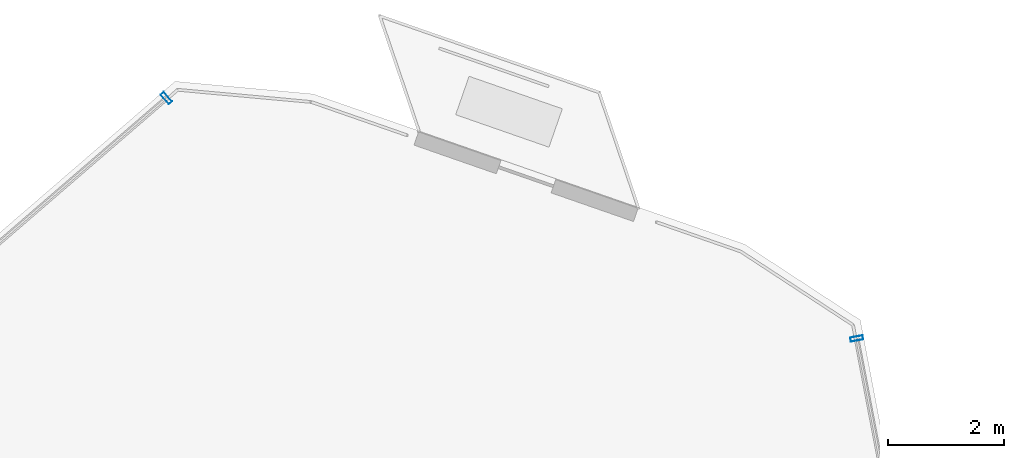
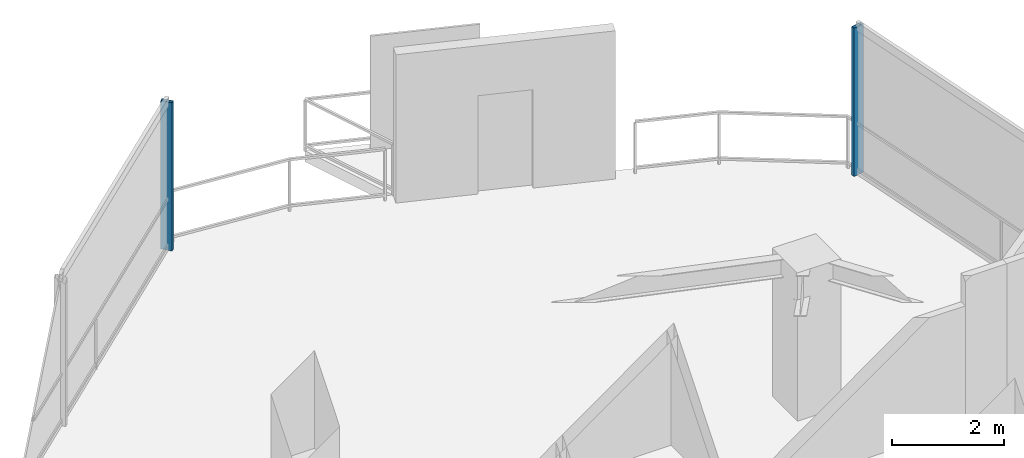
# One storey, part 13 of 18: 2 members, 2 elements without a shape of their own.
"""IFC4 building model written with IfcOpenShell, lengths in metres."""

from ifc_helpers import new_model, si_unit, direction, frame, origin, origin_2d, place, context, subcontext, project, spatial, hollow_rectangle, extrude, material, layer, layer_set, material_profile, profile_set, type_object, element, aggregate, save


model = new_model("IFC4")

# Units and contexts
model_context = context("Model", 3, precision=1e-05, world=origin(), true_north=direction((0.0, 1.0)))
body_context = subcontext(model_context, "Body", "Model", "MODEL_VIEW")
ifc_project = project(units=[si_unit("LENGTHUNIT", "METRE"), si_unit("AREAUNIT", "SQUARE_METRE"), si_unit("VOLUMEUNIT", "CUBIC_METRE"), si_unit("PLANEANGLEUNIT", "RADIAN"), si_unit("MASSUNIT", "GRAM", prefix="KILO")], contexts=[model_context])

# Site, building, storey
site_placement = place(None, origin())
site = spatial("IfcSite", under=ifc_project, at=site_placement, CompositionType="ELEMENT")
building_placement = place(site_placement, origin())
building = spatial("IfcBuilding", under=site, at=building_placement, Name="Qarnah Convention Tower", CompositionType="ELEMENT")
storey_placement = place(building_placement, frame((0.0, 0.0, 220.199951171875)))
storey = spatial("IfcBuildingStorey", under=building, at=storey_placement, Name="L59", CompositionType="ELEMENT", Elevation=220.199951171875)

# Curtain wall, member
ifc_material_1 = material(Name="Tempered Low-E dark glass", Category="glass")
ifc_layer = layer(ifc_material_1, 0.174072265625)
ifc_layer_set = layer_set([ifc_layer], Name="Tempered Low-E dark glass")
curtain_wall_type = type_object("IfcCurtainWallType", Name="CWS-04", PredefinedType="NOTDEFINED", material=ifc_layer_set)
curtain_wall_1_placement = place(storey_placement, origin())
curtain_wall_1 = element("IfcCurtainWall", 1, at=curtain_wall_1_placement, inside=storey, type_object=curtain_wall_type, Name="L59 unitised curtain wall CW-L59-F1", PredefinedType="NOTDEFINED")
ifc_material_2 = material(Name="Black anodised aluminium", Category="aluminium")
ifc_material_profile = material_profile(ifc_material_2, hollow_rectangle(XDim=0.074951171875, YDim=0.219970703125, WallThickness=0.0048828125, at=origin_2d()), Name="MUL-75X220")
ifc_profile_set = profile_set([ifc_material_profile], Name="Black anodised aluminium")
member_type = type_object("IfcMemberType", Name="MUL-T4", PredefinedType="MULLION", material=ifc_profile_set)
member_1_placement = place(storey_placement, frame((37.98193359375, 47.700927734375, 0.0), z_axis=(0.0, 0.0, 1.0), x_axis=(0.756975759177, 0.653442958504, 0.0)))
member_1 = element("IfcMember", 2, at=member_1_placement, type_object=member_type, Name="CW-L59-F1 mullion 6", PredefinedType="MULLION", context=body_context, shape_type="SweptSolid", body=[
    extrude(hollow_rectangle(XDim=0.074951171875, YDim=0.219970703125, WallThickness=0.0048828125, at=origin_2d()), origin(), (0.0, 0.0, 1.0), 3.239990234375),
])
aggregate(curtain_wall_1, [member_1])

curtain_wall_2_placement = place(storey_placement, origin())
curtain_wall_2 = element("IfcCurtainWall", 3, at=curtain_wall_2_placement, inside=storey, type_object=curtain_wall_type, Name="L59 unitised curtain wall CW-L59-F3", PredefinedType="NOTDEFINED")
member_2_placement = place(storey_placement, frame((49.865966796875, 43.56201171875, 0.0), z_axis=(0.0, 0.0, 1.0), x_axis=(0.187406876445, -0.982282374199, 0.0)))
member_2 = element("IfcMember", 4, at=member_2_placement, type_object=member_type, Name="CW-L59-F3 mullion 1", PredefinedType="MULLION", context=body_context, shape_type="SweptSolid", body=[
    extrude(hollow_rectangle(XDim=0.074951171875, YDim=0.219970703125, WallThickness=0.0048828125, at=origin_2d()), origin(), (0.0, 0.0, 1.0), 3.239990234375),
])
aggregate(curtain_wall_2, [member_2])

save(model, "model.ifc")
